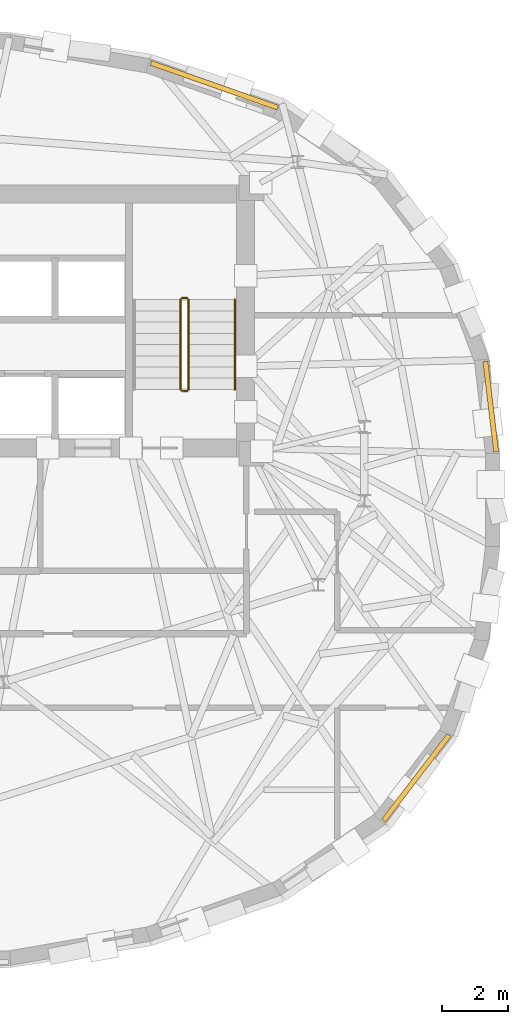
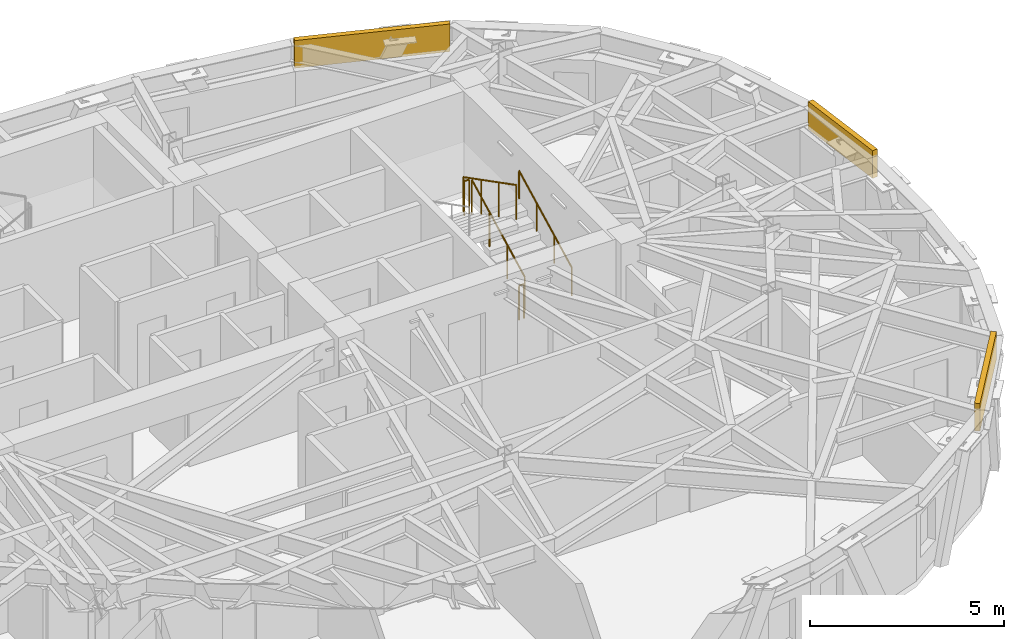
# One storey, part 12 of 12: 5 railings, 3 coverings.
"""IFC4 building model written with IfcOpenShell, lengths in metres."""

from ifc_helpers import new_model, si_unit, direction, frame, origin, origin_2d, place, context, subcontext, project, spatial, rectangle, circle, extrude, material, layer, layer_set, type_object, element, save


model = new_model("IFC4")

# Units and contexts
model_context = context("Model", 3, precision=1e-05, world=origin(), true_north=direction((0.0, 1.0)))
body_context = subcontext(model_context, "Body", "Model", "MODEL_VIEW")
ifc_project = project(units=[si_unit("LENGTHUNIT", "METRE"), si_unit("AREAUNIT", "SQUARE_METRE"), si_unit("VOLUMEUNIT", "CUBIC_METRE"), si_unit("PLANEANGLEUNIT", "RADIAN"), si_unit("MASSUNIT", "GRAM", prefix="KILO")], contexts=[model_context])

# Site, building, storey
site_placement = place(None, origin())
site = spatial("IfcSite", under=ifc_project, at=site_placement, CompositionType="ELEMENT")
building_placement = place(site_placement, origin())
building = spatial("IfcBuilding", under=site, at=building_placement, Name="Keldmark Tower", CompositionType="ELEMENT")
storey_placement = place(building_placement, frame((0.0, 0.0, 247.800048828125)))
storey = spatial("IfcBuildingStorey", under=building, at=storey_placement, Name="L70", CompositionType="ELEMENT", Elevation=247.800048828125)

# Coverings
ifc_material_1 = material(Name="Honed Kasota Buff Dolomitic Limestone", Category="masonry")
ifc_layer = layer(ifc_material_1, 0.074951171875)
ifc_layer_set = layer_set([ifc_layer], Name="Honed Kasota Buff Dolomitic Limestone")
covering_type = type_object("IfcCoveringType", Name="Kasota Buff Limestone Spandrel Cladding Band", PredefinedType="CLADDING", material=ifc_layer_set)
covering_1_placement = place(storey_placement, frame((20.853759765625, 2.830810546875, 2.260009765625), z_axis=(0.0, 0.0, 1.0), x_axis=(-0.118837219958, 0.992913750108, 0.0)))
element("IfcCovering", 1, at=covering_1_placement, inside=storey, type_object=covering_type, Name="L70 Kasota Limestone Spandrel Band 01", PredefinedType="CLADDING", context=body_context, shape_type="SweptSolid", body=[
    extrude(rectangle(XDim=2.765380859375, YDim=0.14990234375, at=origin_2d()), origin(), (0.0, 0.0, 1.0), 0.8701171875),
])
covering_2_placement = place(storey_placement, frame((12.477783203125, 12.56591796875, 2.260009765625), z_axis=(0.0, 0.0, 1.0), x_axis=(-0.943141467515, 0.332391594739, 0.0)))
element("IfcCovering", 2, at=covering_2_placement, inside=storey, type_object=covering_type, Name="L70 Kasota Limestone Spandrel Band 05", PredefinedType="CLADDING", context=body_context, shape_type="SweptSolid", body=[
    extrude(rectangle(XDim=4.072998046875, YDim=0.14990234375, at=origin_2d()), origin(), (0.0, 0.0, 1.0), 0.8701171875),
])
covering_3_placement = place(storey_placement, frame((18.598388671875, -8.41845703125, 2.260009765625), z_axis=(0.0, 0.0, 1.0), x_axis=(0.608401354017, 0.793629505771, 0.0)))
element("IfcCovering", 3, at=covering_3_placement, inside=storey, type_object=covering_type, Name="L70 Kasota Limestone Spandrel Band 29", PredefinedType="CLADDING", context=body_context, shape_type="SweptSolid", body=[
    extrude(rectangle(XDim=3.258544921875, YDim=0.14990234375, at=origin_2d()), origin(), (0.0, 0.0, 1.0), 0.8701171875),
])

# Railings
ifc_material_2 = material(Name="Painted Steel ASTM A500 Grade B", Category="steel")
railing_type_1 = type_object("IfcRailingType", Name="Painted Steel Stair Well Guard 1100 mm", PredefinedType="GUARDRAIL", material=ifc_material_2)
railing_1_placement = place(storey_placement, frame((11.699951171875, 3.35009765625, 0.175048828125)))
element("IfcRailing", 4, at=railing_1_placement, inside=storey, type_object=railing_type_1, Name="L70 ST2 stair guard 1", PredefinedType="GUARDRAIL", context=body_context, shape_type="SweptSolid", body=[
    extrude(circle(Radius=0.02392578125, at=origin_2d()), frame((0.0, 0.0, 1.076171875), z_axis=(0.0, 0.889146794209, 0.457622091194), x_axis=(-1.0, 0.0, 0.0)), (0.0, 0.0, 1.0), 3.05908203125),
    extrude(circle(Radius=0.02099609375, at=origin_2d()), origin(), (0.0, 0.0, 1.0), 1.052001953125),
    extrude(circle(Radius=0.02099609375, at=origin_2d()), frame((0.0, 0.90673828125, 0.466552734375)), (0.0, 0.0, 1.0), 1.052001953125),
    extrude(circle(Radius=0.02099609375, at=origin_2d()), frame((0.0, 1.813232421875, 0.933349609375)), (0.0, 0.0, 1.0), 1.052001953125),
    extrude(circle(Radius=0.02099609375, at=origin_2d()), frame((0.0, 2.719970703125, 1.39990234375)), (0.0, 0.0, 1.0), 1.052001953125),
])
railing_2_placement = place(storey_placement, frame((11.64990234375, 6.1201171875, 1.574951171875)))
element("IfcRailing", 5, at=railing_2_placement, inside=storey, type_object=railing_type_1, Name="L70 ST2 stair guard 2", PredefinedType="GUARDRAIL", context=body_context, shape_type="SweptSolid", body=[
    extrude(circle(Radius=0.02392578125, at=origin_2d()), frame((0.0, 0.0, 1.076171875), z_axis=(-1.0, 0.0, 0.0), x_axis=(0.0, -1.0, 0.0)), (0.0, 0.0, 1.0), 0.14990234375),
    extrude(circle(Radius=0.02099609375, at=origin_2d()), origin(), (0.0, 0.0, 1.0), 1.052001953125),
    extrude(circle(Radius=0.02099609375, at=origin_2d()), frame((-0.14990234375, 0.0, 0.0)), (0.0, 0.0, 1.0), 1.052001953125),
])
railing_3_placement = place(storey_placement, frame((11.449951171875, 6.070068359375, 1.75)))
element("IfcRailing", 6, at=railing_3_placement, inside=storey, type_object=railing_type_1, Name="L70 ST2 stair guard 3", PredefinedType="GUARDRAIL", context=body_context, shape_type="SweptSolid", body=[
    extrude(circle(Radius=0.02392578125, at=origin_2d()), frame((0.0, 0.0, 1.076171875), z_axis=(0.0, -0.889146794209, 0.457622091194), x_axis=(1.0, 0.0, 0.0)), (0.0, 0.0, 1.0), 3.05908203125),
    extrude(circle(Radius=0.02099609375, at=origin_2d()), origin(), (0.0, 0.0, 1.0), 1.052001953125),
    extrude(circle(Radius=0.02099609375, at=origin_2d()), frame((0.0, -0.90673828125, 0.466552734375)), (0.0, 0.0, 1.0), 1.052001953125),
    extrude(circle(Radius=0.02099609375, at=origin_2d()), frame((0.0, -1.813232421875, 0.933349609375)), (0.0, 0.0, 1.0), 1.052001953125),
    extrude(circle(Radius=0.02099609375, at=origin_2d()), frame((0.0, -2.719970703125, 1.39990234375)), (0.0, 0.0, 1.0), 1.052001953125),
])
railing_4_placement = place(storey_placement, frame((11.64990234375, 3.300048828125, 0.0)))
element("IfcRailing", 7, at=railing_4_placement, inside=storey, type_object=railing_type_1, Name="L70 ST2 stair guard 4", PredefinedType="GUARDRAIL", context=body_context, shape_type="SweptSolid", body=[
    extrude(circle(Radius=0.02392578125, at=origin_2d()), frame((0.0, 0.0, 1.076171875), z_axis=(-1.0, 0.0, 0.0), x_axis=(0.0, -1.0, 0.0)), (0.0, 0.0, 1.0), 0.14990234375),
    extrude(circle(Radius=0.02099609375, at=origin_2d()), origin(), (0.0, 0.0, 1.0), 1.052001953125),
    extrude(circle(Radius=0.02099609375, at=origin_2d()), frame((-0.14990234375, 0.0, 0.0)), (0.0, 0.0, 1.0), 1.052001953125),
])
ifc_material_3 = material(Name="Stainless Steel AISI 316L", Category="steel")
railing_type_2 = type_object("IfcRailingType", Name="Stainless Steel Stair Handrail 900 mm", PredefinedType="HANDRAIL", material=ifc_material_3)
railing_5_placement = place(storey_placement, frame((13.10009765625, 3.35009765625, 0.175048828125)))
element("IfcRailing", 8, at=railing_5_placement, inside=storey, type_object=railing_type_2, Name="L70 ST2 stair handrail 1", PredefinedType="HANDRAIL", context=body_context, shape_type="SweptSolid", body=[
    extrude(circle(Radius=0.02392578125, at=origin_2d()), frame((0.0, 0.0, 0.8759765625), z_axis=(0.0, 0.889146794209, 0.457622091194), x_axis=(-1.0, 0.0, 0.0)), (0.0, 0.0, 1.0), 3.05908203125),
    extrude(circle(Radius=0.02099609375, at=origin_2d()), origin(), (0.0, 0.0, 1.0), 0.851806640625),
    extrude(circle(Radius=0.02099609375, at=origin_2d()), frame((0.0, 0.90673828125, 0.466552734375)), (0.0, 0.0, 1.0), 0.851806640625),
    extrude(circle(Radius=0.02099609375, at=origin_2d()), frame((0.0, 1.813232421875, 0.933349609375)), (0.0, 0.0, 1.0), 0.851806640625),
    extrude(circle(Radius=0.02099609375, at=origin_2d()), frame((0.0, 2.719970703125, 1.39990234375)), (0.0, 0.0, 1.0), 0.851806640625),
])

save(model, "model.ifc")
